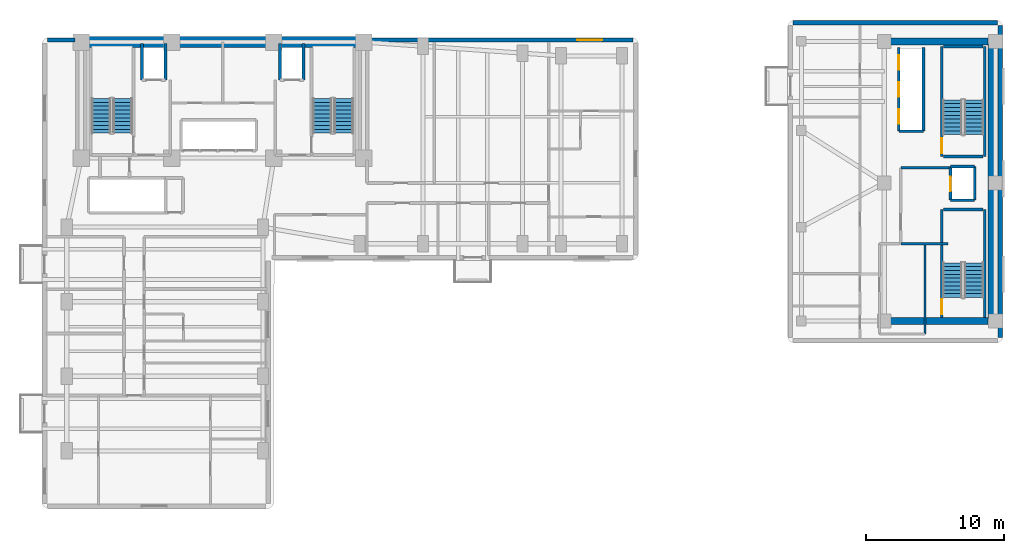
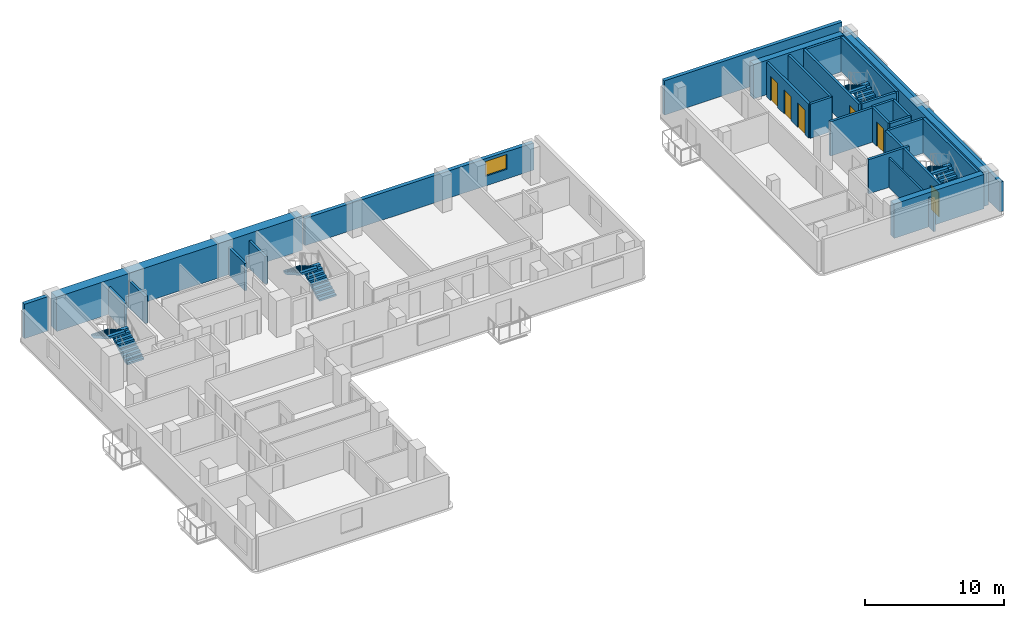
# One storey, part 6 of 9: 29 walls, 8 stair flights, 6 doors, 1 window, 7 openings, 4 elements without a shape of their own.
"""IFC4 building model written with IfcOpenShell, lengths in metres."""

from ifc_helpers import new_model, si_unit, direction, frame, frame_2d, origin, place, context, subcontext, project, spatial, polyline, rectangle, outline, extrude, material, layer, layer_set, type_object, element, fill, aggregate, save


model = new_model("IFC4")

# Units and contexts
model_context = context("Model", 3, precision=1e-05, world=origin(), true_north=direction((0.0, 1.0)))
body_context = subcontext(model_context, "Body", "Model", "MODEL_VIEW")
ifc_project = project(units=[si_unit("LENGTHUNIT", "METRE"), si_unit("AREAUNIT", "SQUARE_METRE"), si_unit("VOLUMEUNIT", "CUBIC_METRE"), si_unit("PLANEANGLEUNIT", "RADIAN"), si_unit("MASSUNIT", "GRAM", prefix="KILO")], contexts=[model_context])

# Site, building, storey
site_placement = place(None, origin())
site = spatial("IfcSite", under=ifc_project, at=site_placement, CompositionType="ELEMENT")
building_placement = place(site_placement, origin())
building = spatial("IfcBuilding", under=site, at=building_placement, Name="Kuzgunbayir Cultural Tower", CompositionType="ELEMENT")
storey_placement = place(building_placement, frame((0.0, 0.0, 89.800048828125)))
storey = spatial("IfcBuildingStorey", under=building, at=storey_placement, Name="L25", CompositionType="ELEMENT", Elevation=89.800048828125)

# Walls
ifc_material_1 = material(Name="Concrete C60/75", Category="concrete")
ifc_layer_1 = layer(ifc_material_1, 0.800048828125)
ifc_layer_set_1 = layer_set([ifc_layer_1], Name="Concrete C60/75")
wall_type_1 = type_object("IfcWallType", Name="WAL-CORE-800", PredefinedType="SHEAR", material=ifc_layer_set_1)
wall_1_placement = place(storey_placement, frame((6.449951171875, 42.199951171875, 0.0), z_axis=(0.0, 0.0, 1.0), x_axis=(1.0, 0.0, 0.0)))
element("IfcWall", 1, at=wall_1_placement, inside=storey, type_object=wall_type_1, Name="L25 T1 Core North Shear Wall", PredefinedType="SHEAR", context=body_context, shape_type="SweptSolid", body=[
    extrude(rectangle(XDim=20.449951171875, YDim=0.800048828125, at=frame_2d((10.22509765625, 0.0))), origin(), (0.0, 0.0, 1.0), 3.02001953125),
])
ifc_material_2 = material(Name="Anatolian Cream Limestone", Category="masonry")
ifc_layer_2 = layer(ifc_material_2, 0.300048828125)
ifc_layer_set_2 = layer_set([ifc_layer_2], Name="Anatolian Cream Limestone")
wall_type_2 = type_object("IfcWallType", Name="WAL-EXT-STONE-300", PredefinedType="STANDARD", material=ifc_layer_set_2)
wall_2_placement = place(storey_placement, frame((73.0, 20.800048828125, 0.0), z_axis=(0.0, 0.0, 1.0), x_axis=(0.0, 1.0, 0.0)))
element("IfcWall", 2, at=wall_2_placement, inside=storey, type_object=wall_type_2, Name="L25 Companion East Limestone Wall", PredefinedType="STANDARD", context=body_context, shape_type="SweptSolid", body=[
    extrude(rectangle(XDim=22.599853515625, YDim=0.300048828125, at=frame_2d((11.2998046875, 0.0))), origin(), (0.0, 0.0, 1.0), 2.60986328125),
])
wall_3_placement = place(storey_placement, frame((72.800048828125, 43.60009765625, 0.0), z_axis=(0.0, 0.0, 1.0), x_axis=(-1.0, 0.0, 0.0)))
element("IfcWall", 3, at=wall_3_placement, inside=storey, type_object=wall_type_2, Name="L25 Companion North Limestone Wall", PredefinedType="STANDARD", context=body_context, shape_type="SweptSolid", body=[
    extrude(rectangle(XDim=14.800048828125, YDim=0.300048828125, at=frame_2d((7.39990234375, 0.0))), origin(), (0.0, 0.0, 1.0), 3.02001953125),
])

# Wall, opening, window
ifc_material_3 = material(Name="Travertine Buff Ashlar", Category="masonry")
ifc_layer_3 = layer(ifc_material_3, 0.320068359375)
ifc_layer_set_3 = layer_set([ifc_layer_3], Name="Travertine Buff Ashlar")
wall_type_3 = type_object("IfcWallType", Name="WAL-EXT-STONE-320", PredefinedType="STANDARD", material=ifc_layer_set_3)
wall_4_placement = place(storey_placement, frame((46.39990234375, 42.35009765625, 0.0), z_axis=(0.0, 0.0, 1.0), x_axis=(-1.0, 0.0, 0.0)))
wall_4 = element("IfcWall", 4, at=wall_4_placement, inside=storey, type_object=wall_type_3, Name="L25 North Wing B Limestone Wall", PredefinedType="STANDARD", context=body_context, shape_type="SweptSolid", body=[
    extrude(rectangle(XDim=19.0498046875, YDim=0.320068359375, at=frame_2d((9.52490234375, 0.0))), origin(), (0.0, 0.0, 1.0), 2.39990234375),
])
opening_1_placement = place(wall_4_placement, frame((2.219970703125, 0.0, 0.85009765625)))
opening_1 = element("IfcOpeningElement", 5, at=opening_1_placement, cuts=wall_4, Name="Opening WH-18", PredefinedType="OPENING", context=body_context, shape_type="SweptSolid", body=[
    extrude(rectangle(XDim=1.800048828125, YDim=1.300048828125, at=frame_2d((0.89990234375, 0.64990234375))), frame((0.0, 0.169921875, 0.0), z_axis=(0.0, -1.0, 0.0), x_axis=(1.0, 0.0, 0.0)), (0.0, 0.0, 1.0), 0.340087890625),
])
ifc_material_4 = material(Name="Solar-Control Triple Glazing", Category="glass")
window_type = type_object("IfcWindowType", Name="WIN-HOTEL-18", PartitioningType="SINGLE_PANEL", PredefinedType="WINDOW", material=ifc_material_4)
window_placement = place(opening_1_placement, origin())
window = element("IfcWindow", 6, at=window_placement, inside=storey, type_object=window_type, Name="L25 CRN Facade Window 4", OverallHeight=1.300048828125, OverallWidth=1.800048828125, PartitioningType="SINGLE_PANEL", PredefinedType="WINDOW", context=body_context, shape_type="SweptSolid", body=[
    extrude(rectangle(XDim=1.800048828125, YDim=1.300048828125, at=frame_2d((0.89990234375, 0.64990234375))), frame((0.0, 0.030029296875, 0.0), z_axis=(0.0, -1.0, 0.0), x_axis=(1.0, 0.0, 0.0)), (0.0, 0.0, 1.0), 0.06005859375),
])
fill(opening_1, window)

# Walls
wall_5_placement = place(storey_placement, frame((6.0, 42.35009765625, 0.0), z_axis=(0.0, 0.0, 1.0), x_axis=(-1.0, 0.0, 0.0)))
element("IfcWall", 7, at=wall_5_placement, inside=storey, type_object=wall_type_3, Name="L25 Core North-West Spandrel Link", PredefinedType="STANDARD", context=body_context, shape_type="SweptSolid", body=[
    extrude(rectangle(XDim=2.0, YDim=0.320068359375, at=frame_2d((1.0, 0.0))), origin(), (0.0, 0.0, 1.0), 3.02001953125),
])
ifc_material_5 = material(Name="Acoustic Double-Stud Drywall", Category="gypsum")
ifc_layer_4 = layer(ifc_material_5, 0.14990234375)
ifc_layer_set_4 = layer_set([ifc_layer_4], Name="Acoustic Double-Stud Drywall")
wall_type_4 = type_object("IfcWallType", Name="WAL-PART-ACOUSTIC-150", PredefinedType="PARTITIONING", material=ifc_layer_set_4)
wall_6_placement = place(storey_placement, frame((67.550048828125, 21.050048828125, 0.0), z_axis=(0.0, 0.0, 1.0), x_axis=(0.0, 1.0, 0.0)))
element("IfcWall", 8, at=wall_6_placement, inside=storey, type_object=wall_type_4, Name="L25 Companion Archive East Wall", PredefinedType="PARTITIONING", context=body_context, shape_type="SweptSolid", body=[
    extrude(rectangle(XDim=6.469970703125, YDim=0.14990234375, at=frame_2d((3.23486328125, 0.0))), origin(), (0.0, 0.0, 1.0), 2.60986328125),
])
ifc_material_6 = material(Name="Aerated Concrete Blockwork", Category="masonry")
ifc_layer_5 = layer(ifc_material_6, 0.199951171875)
ifc_layer_set_5 = layer_set([ifc_layer_5], Name="Aerated Concrete Blockwork")
wall_type_5 = type_object("IfcWallType", Name="WAL-PART-FIRE-200", PredefinedType="PARTITIONING", material=ifc_layer_set_5)
wall_7_placement = place(storey_placement, frame((65.800048828125, 33.10009765625, 0.0), z_axis=(0.0, 0.0, 1.0), x_axis=(1.0, 0.0, 0.0)))
element("IfcWall", 9, at=wall_7_placement, inside=storey, type_object=wall_type_5, Name="L25 FFL-3 Lobby North Fire Wall", PredefinedType="PARTITIONING", context=body_context, shape_type="SweptSolid", body=[
    extrude(rectangle(XDim=3.599853515625, YDim=0.199951171875, at=frame_2d((1.7998046875, 0.0))), origin(), (0.0, 0.0, 1.0), 3.02001953125),
])
wall_8_placement = place(storey_placement, frame((65.800048828125, 27.60009765625, 0.0), z_axis=(0.0, 0.0, 1.0), x_axis=(1.0, 0.0, 0.0)))
element("IfcWall", 10, at=wall_8_placement, inside=storey, type_object=wall_type_5, Name="L25 FFL-3 Lobby South Fire Wall", PredefinedType="PARTITIONING", context=body_context, shape_type="SweptSolid", body=[
    extrude(rectangle(XDim=3.39990234375, YDim=0.199951171875, at=frame_2d((1.699951171875, 0.0))), origin(), (0.0, 0.0, 1.0), 3.02001953125),
])
ifc_material_7 = material(Name="Concrete C40/50", Category="concrete")
ifc_layer_6 = layer(ifc_material_7, 0.199951171875)
ifc_layer_set_6 = layer_set([ifc_layer_6], Name="Concrete C40/50")
wall_type_6 = type_object("IfcWallType", Name="WAL-SHAFT-200", PredefinedType="MOVABLE", material=ifc_layer_set_6)
for number, where, z_axis, x_axis, name in (
    (11, (10.85009765625, 39.449951171875, 0.0), (0.0, 0.0, 1.0), (0.0, 1.0, 0.0), "L25 FFL-1 Shaft West Wall"),
    (12, (12.550048828125, 39.449951171875, 0.0), (0.0, 0.0, 1.0), (0.0, 1.0, 0.0), "L25 FFL-1 Shaft East Wall"),
    (13, (20.85009765625, 39.449951171875, 0.0), (0.0, 0.0, 1.0), (0.0, 1.0, 0.0), "L25 FFL-2 Shaft West Wall"),
    (14, (22.550048828125, 39.449951171875, 0.0), (0.0, 0.0, 1.0), (0.0, 1.0, 0.0), "L25 FFL-2 Shaft East Wall"),
):
    element("IfcWall", number, at=place(storey_placement, frame(where, z_axis=z_axis, x_axis=x_axis)), inside=storey, type_object=wall_type_6, Name=name, PredefinedType="MOVABLE", context=body_context, shape_type="SweptSolid", body=[
        extrude(rectangle(XDim=2.650146484375, YDim=0.199951171875, at=frame_2d((1.3251953125, 0.0))), origin(), (0.0, 0.0, 1.0), 2.39990234375),
    ])

# Wall, openings, doors
wall_9_placement = place(storey_placement, frame((65.64990234375, 35.75, 0.0), z_axis=(0.0, 0.0, 1.0), x_axis=(0.0, 1.0, 0.0)))
wall_9 = element("IfcWall", 15, at=wall_9_placement, inside=storey, type_object=wall_type_6, Name="L25 Companion Lift Front Wall", PredefinedType="MOVABLE", context=body_context, shape_type="SweptSolid", body=[
    extrude(rectangle(XDim=6.050048828125, YDim=0.199951171875, at=frame_2d((3.02490234375, 0.0))), origin(), (0.0, 0.0, 1.0), 3.02001953125),
])
opening_2_placement = place(wall_9_placement, frame((0.52001953125, 0.0, 0.0)))
opening_2 = element("IfcOpeningElement", 16, at=opening_2_placement, cuts=wall_9, Name="Opening LD", PredefinedType="OPENING", context=body_context, shape_type="SweptSolid", body=[
    extrude(rectangle(XDim=1.050048828125, YDim=2.14990234375, at=frame_2d((0.52490234375, 1.074951171875))), frame((0.0, 0.10986328125, 0.0), z_axis=(0.0, -1.0, 0.0), x_axis=(1.0, 0.0, 0.0)), (0.0, 0.0, 1.0), 0.219970703125),
])
opening_3_placement = place(wall_9_placement, frame((2.47998046875, 0.0, 0.0)))
opening_3 = element("IfcOpeningElement", 17, at=opening_3_placement, cuts=wall_9, Name="Opening LD", PredefinedType="OPENING", context=body_context, shape_type="SweptSolid", body=[
    extrude(rectangle(XDim=1.050048828125, YDim=2.14990234375, at=frame_2d((0.52490234375, 1.074951171875))), frame((0.0, 0.10986328125, 0.0), z_axis=(0.0, -1.0, 0.0), x_axis=(1.0, 0.0, 0.0)), (0.0, 0.0, 1.0), 0.219970703125),
])
opening_4_placement = place(wall_9_placement, frame((4.429931640625, 0.0, 0.0)))
opening_4 = element("IfcOpeningElement", 18, at=opening_4_placement, cuts=wall_9, Name="Opening LD", PredefinedType="OPENING", context=body_context, shape_type="SweptSolid", body=[
    extrude(rectangle(XDim=1.050048828125, YDim=2.14990234375, at=frame_2d((0.52490234375, 1.074951171875))), frame((0.0, 0.10986328125, 0.0), z_axis=(0.0, -1.0, 0.0), x_axis=(1.0, 0.0, 0.0)), (0.0, 0.0, 1.0), 0.219970703125),
])
ifc_material_8 = material(Name="Brushed Stainless Steel", Category="steel")
door_type_1 = type_object("IfcDoorType", Name="DR-LIFT-LANDING", OperationType="SLIDING_TO_LEFT", PredefinedType="DOOR", material=ifc_material_8)
door_1_placement = place(opening_2_placement, origin())
door_1 = element("IfcDoor", 19, at=door_1_placement, inside=storey, type_object=door_type_1, Name="L25 Lift PC-1 Landing Door", OperationType="SLIDING_TO_LEFT", OverallHeight=2.14990234375, OverallWidth=1.050048828125, PredefinedType="DOOR", context=body_context, shape_type="SweptSolid", body=[
    extrude(rectangle(XDim=1.050048828125, YDim=2.14990234375, at=frame_2d((0.52490234375, 1.074951171875))), frame((0.0, 0.02490234375, 0.0), z_axis=(0.0, -1.0, 0.0), x_axis=(1.0, 0.0, 0.0)), (0.0, 0.0, 1.0), 0.050048828125),
])
fill(opening_2, door_1)
door_2_placement = place(opening_3_placement, origin())
door_2 = element("IfcDoor", 20, at=door_2_placement, inside=storey, type_object=door_type_1, Name="L25 Lift PC-2 Landing Door", OperationType="SLIDING_TO_LEFT", OverallHeight=2.14990234375, OverallWidth=1.050048828125, PredefinedType="DOOR", context=body_context, shape_type="SweptSolid", body=[
    extrude(rectangle(XDim=1.050048828125, YDim=2.14990234375, at=frame_2d((0.52490234375, 1.074951171875))), frame((0.0, 0.02490234375, 0.0), z_axis=(0.0, -1.0, 0.0), x_axis=(1.0, 0.0, 0.0)), (0.0, 0.0, 1.0), 0.050048828125),
])
fill(opening_3, door_2)
door_3_placement = place(opening_4_placement, origin())
door_3 = element("IfcDoor", 21, at=door_3_placement, inside=storey, type_object=door_type_1, Name="L25 Lift PC-3 Landing Door", OperationType="SLIDING_TO_LEFT", OverallHeight=2.14990234375, OverallWidth=1.050048828125, PredefinedType="DOOR", context=body_context, shape_type="SweptSolid", body=[
    extrude(rectangle(XDim=1.050048828125, YDim=2.14990234375, at=frame_2d((0.52490234375, 1.074951171875))), frame((0.0, 0.02490234375, 0.0), z_axis=(0.0, -1.0, 0.0), x_axis=(1.0, 0.0, 0.0)), (0.0, 0.0, 1.0), 0.050048828125),
])
fill(opening_4, door_3)

# Walls
wall_10_placement = place(storey_placement, frame((67.449951171875, 35.75, 0.0), z_axis=(0.0, 0.0, 1.0), x_axis=(0.0, 1.0, 0.0)))
element("IfcWall", 22, at=wall_10_placement, inside=storey, type_object=wall_type_6, Name="L25 Companion Lift Shaft Back Wall", PredefinedType="MOVABLE", context=body_context, shape_type="SweptSolid", body=[
    extrude(rectangle(XDim=6.050048828125, YDim=0.199951171875, at=frame_2d((3.02490234375, 0.0))), origin(), (0.0, 0.0, 1.0), 3.02001953125),
])
wall_11_placement = place(storey_placement, frame((65.64990234375, 35.75, 0.0), z_axis=(0.0, 0.0, 1.0), x_axis=(1.0, 0.0, 0.0)))
element("IfcWall", 23, at=wall_11_placement, inside=storey, type_object=wall_type_6, Name="L25 Companion Lift Shaft South Wall", PredefinedType="MOVABLE", context=body_context, shape_type="SweptSolid", body=[
    extrude(rectangle(XDim=1.800048828125, YDim=0.199951171875, at=frame_2d((0.89990234375, 0.0))), origin(), (0.0, 0.0, 1.0), 3.02001953125),
])

# Wall, opening, door
wall_12_placement = place(storey_placement, frame((69.39990234375, 30.75, 0.0), z_axis=(0.0, 0.0, 1.0), x_axis=(0.0, 1.0, 0.0)))
wall_12 = element("IfcWall", 24, at=wall_12_placement, inside=storey, type_object=wall_type_6, Name="L25 FFL-3 Lift Front Wall", PredefinedType="MOVABLE", context=body_context, shape_type="SweptSolid", body=[
    extrude(rectangle(XDim=2.449951171875, YDim=0.199951171875, at=frame_2d((1.22509765625, 0.0))), origin(), (0.0, 0.0, 1.0), 3.02001953125),
])
opening_5_placement = place(wall_12_placement, frame((0.64990234375, 0.0, 0.0)))
opening_5 = element("IfcOpeningElement", 25, at=opening_5_placement, cuts=wall_12, Name="Opening LD", PredefinedType="OPENING", context=body_context, shape_type="SweptSolid", body=[
    extrude(rectangle(XDim=1.050048828125, YDim=2.14990234375, at=frame_2d((0.52490234375, 1.074951171875))), frame((0.0, 0.10986328125, 0.0), z_axis=(0.0, -1.0, 0.0), x_axis=(1.0, 0.0, 0.0)), (0.0, 0.0, 1.0), 0.219970703125),
])
door_4_placement = place(opening_5_placement, origin())
door_4 = element("IfcDoor", 26, at=door_4_placement, inside=storey, type_object=door_type_1, Name="L25 Lift FFL-3 Landing Door", OperationType="SLIDING_TO_LEFT", OverallHeight=2.14990234375, OverallWidth=1.050048828125, PredefinedType="DOOR", context=body_context, shape_type="SweptSolid", body=[
    extrude(rectangle(XDim=1.050048828125, YDim=2.14990234375, at=frame_2d((0.52490234375, 1.074951171875))), frame((0.0, 0.02490234375, 0.0), z_axis=(0.0, -1.0, 0.0), x_axis=(1.0, 0.0, 0.0)), (0.0, 0.0, 1.0), 0.050048828125),
])
fill(opening_5, door_4)

# Walls
wall_13_placement = place(storey_placement, frame((71.14990234375, 30.75, 0.0), z_axis=(0.0, 0.0, 1.0), x_axis=(0.0, 1.0, 0.0)))
element("IfcWall", 27, at=wall_13_placement, inside=storey, type_object=wall_type_6, Name="L25 FFL-3 Shaft Back Wall", PredefinedType="MOVABLE", context=body_context, shape_type="SweptSolid", body=[
    extrude(rectangle(XDim=2.449951171875, YDim=0.199951171875, at=frame_2d((1.22509765625, 0.0))), origin(), (0.0, 0.0, 1.0), 3.02001953125),
])
for number, where, z_axis, x_axis, name in (
    (28, (69.39990234375, 33.199951171875, 0.0), (0.0, 0.0, 1.0), (1.0, 0.0, 0.0), "L25 FFL-3 Shaft North Wall"),
    (29, (69.39990234375, 30.75, 0.0), (0.0, 0.0, 1.0), (1.0, 0.0, 0.0), "L25 FFL-3 Shaft South Wall"),
):
    element("IfcWall", number, at=place(storey_placement, frame(where, z_axis=z_axis, x_axis=x_axis)), inside=storey, type_object=wall_type_6, Name=name, PredefinedType="MOVABLE", context=body_context, shape_type="SweptSolid", body=[
        extrude(rectangle(XDim=1.75, YDim=0.199951171875, at=frame_2d((0.875, 0.0))), origin(), (0.0, 0.0, 1.0), 3.02001953125),
    ])

# Wall, opening, door
ifc_layer_7 = layer(ifc_material_7, 0.199951171875)
ifc_layer_set_7 = layer_set([ifc_layer_7], Name="Concrete C40/50")
wall_type_7 = type_object("IfcWallType", Name="WAL-STAIR-RC-200", PredefinedType="SHEAR", material=ifc_layer_set_7)
wall_14_placement = place(storey_placement, frame((68.760009765625, 22.260009765625, 0.0), z_axis=(0.0, 0.0, 1.0), x_axis=(0.0, 1.0, 0.0)))
wall_14 = element("IfcWall", 30, at=wall_14_placement, inside=storey, type_object=wall_type_7, Name="L25 Stair ST-3 West Structural Wall", PredefinedType="SHEAR", context=body_context, shape_type="SweptSolid", body=[
    extrude(rectangle(XDim=7.820068359375, YDim=0.199951171875, at=frame_2d((3.91015625, 0.0))), origin(), (0.0, 0.0, 1.0), 3.02001953125),
])
opening_6_placement = place(wall_14_placement, frame((0.219970703125, 0.0, 0.0)))
opening_6 = element("IfcOpeningElement", 31, at=opening_6_placement, cuts=wall_14, Name="Opening DR-STAIR-90", PredefinedType="OPENING", context=body_context, shape_type="SweptSolid", body=[
    extrude(rectangle(XDim=1.10009765625, YDim=2.14990234375, at=frame_2d((0.550048828125, 1.074951171875))), frame((0.0, 0.10986328125, 0.0), z_axis=(0.0, -1.0, 0.0), x_axis=(1.0, 0.0, 0.0)), (0.0, 0.0, 1.0), 0.219970703125),
])
ifc_material_9 = material(Name="Steel S355J2", Category="steel")
door_type_2 = type_object("IfcDoorType", Name="DR-STAIR-90", OperationType="NOTDEFINED", PredefinedType="DOOR", material=ifc_material_9)
door_5_placement = place(opening_6_placement, origin())
door_5 = element("IfcDoor", 32, at=door_5_placement, inside=storey, type_object=door_type_2, Name="L25 Stair ST-3 Fire Door", OperationType="SINGLE_SWING_LEFT", OverallHeight=2.14990234375, OverallWidth=1.10009765625, PredefinedType="DOOR", context=body_context, shape_type="SweptSolid", body=[
    extrude(rectangle(XDim=1.10009765625, YDim=2.14990234375, at=frame_2d((0.550048828125, 1.074951171875))), frame((0.0, 0.02490234375, 0.0), z_axis=(0.0, -1.0, 0.0), x_axis=(1.0, 0.0, 0.0)), (0.0, 0.0, 1.0), 0.050048828125),
])
fill(opening_6, door_5)

# Walls
wall_15_placement = place(storey_placement, frame((71.8798828125, 22.260009765625, 0.0), z_axis=(0.0, 0.0, 1.0), x_axis=(0.0, 1.0, 0.0)))
element("IfcWall", 33, at=wall_15_placement, inside=storey, type_object=wall_type_7, Name="L25 Stair ST-3 East Structural Wall", PredefinedType="SHEAR", context=body_context, shape_type="SweptSolid", body=[
    extrude(rectangle(XDim=7.820068359375, YDim=0.199951171875, at=frame_2d((3.91015625, 0.0))), origin(), (0.0, 0.0, 1.0), 3.02001953125),
])
wall_16_placement = place(storey_placement, frame((68.8798828125, 30.080078125, 0.0), z_axis=(0.0, 0.0, 1.0), x_axis=(1.0, 0.0, 0.0)))
element("IfcWall", 34, at=wall_16_placement, inside=storey, type_object=wall_type_7, Name="L25 Stair ST-3 North Structural Wall", PredefinedType="SHEAR", context=body_context, shape_type="SweptSolid", body=[
    extrude(rectangle(XDim=2.880126953125, YDim=0.199951171875, at=frame_2d((1.43994140625, 0.0))), origin(), (0.0, 0.0, 1.0), 3.02001953125),
])

# Wall, opening, door
wall_17_placement = place(storey_placement, frame((68.760009765625, 33.919921875, 0.0), z_axis=(0.0, 0.0, 1.0), x_axis=(0.0, 1.0, 0.0)))
wall_17 = element("IfcWall", 35, at=wall_17_placement, inside=storey, type_object=wall_type_7, Name="L25 Stair ST-4 West Structural Wall", PredefinedType="SHEAR", context=body_context, shape_type="SweptSolid", body=[
    extrude(rectangle(XDim=7.9599609375, YDim=0.199951171875, at=frame_2d((3.97998046875, 0.0))), origin(), (0.0, 0.0, 1.0), 3.02001953125),
])
opening_7_placement = place(wall_17_placement, frame((0.219970703125, 0.0, 0.0)))
opening_7 = element("IfcOpeningElement", 36, at=opening_7_placement, cuts=wall_17, Name="Opening DR-STAIR-90", PredefinedType="OPENING", context=body_context, shape_type="SweptSolid", body=[
    extrude(rectangle(XDim=1.10009765625, YDim=2.14990234375, at=frame_2d((0.550048828125, 1.074951171875))), frame((0.0, 0.10986328125, 0.0), z_axis=(0.0, -1.0, 0.0), x_axis=(1.0, 0.0, 0.0)), (0.0, 0.0, 1.0), 0.219970703125),
])
door_6_placement = place(opening_7_placement, origin())
door_6 = element("IfcDoor", 37, at=door_6_placement, inside=storey, type_object=door_type_2, Name="L25 Stair ST-4 Fire Door", OperationType="SINGLE_SWING_RIGHT", OverallHeight=2.14990234375, OverallWidth=1.10009765625, PredefinedType="DOOR", context=body_context, shape_type="SweptSolid", body=[
    extrude(rectangle(XDim=1.10009765625, YDim=2.14990234375, at=frame_2d((0.550048828125, 1.074951171875))), frame((0.0, 0.02490234375, 0.0), z_axis=(0.0, -1.0, 0.0), x_axis=(1.0, 0.0, 0.0)), (0.0, 0.0, 1.0), 0.050048828125),
])
fill(opening_7, door_6)

# Walls
wall_18_placement = place(storey_placement, frame((71.8798828125, 33.919921875, 0.0), z_axis=(0.0, 0.0, 1.0), x_axis=(0.0, 1.0, 0.0)))
element("IfcWall", 38, at=wall_18_placement, inside=storey, type_object=wall_type_7, Name="L25 Stair ST-4 East Structural Wall", PredefinedType="SHEAR", context=body_context, shape_type="SweptSolid", body=[
    extrude(rectangle(XDim=7.9599609375, YDim=0.199951171875, at=frame_2d((3.97998046875, 0.0))), origin(), (0.0, 0.0, 1.0), 3.02001953125),
])
for number, where, z_axis, x_axis, name in (
    (39, (68.8798828125, 41.8798828125, 0.0), (0.0, 0.0, 1.0), (1.0, 0.0, 0.0), "L25 Stair ST-4 North Structural Wall"),
    (40, (68.8798828125, 33.919921875, 0.0), (0.0, 0.0, 1.0), (1.0, 0.0, 0.0), "L25 Stair ST-4 South Structural Wall"),
):
    element("IfcWall", number, at=place(storey_placement, frame(where, z_axis=z_axis, x_axis=x_axis)), inside=storey, type_object=wall_type_7, Name=name, PredefinedType="SHEAR", context=body_context, shape_type="SweptSolid", body=[
        extrude(rectangle(XDim=2.880126953125, YDim=0.199951171875, at=frame_2d((1.43994140625, 0.0))), origin(), (0.0, 0.0, 1.0), 3.02001953125),
    ])
ifc_layer_8 = layer(ifc_material_1, 0.5)
ifc_layer_set_8 = layer_set([ifc_layer_8], Name="Concrete C60/75")
wall_type_8 = type_object("IfcWallType", Name="WAL-T2-CORE-500", PredefinedType="SHEAR", material=ifc_layer_set_8)
wall_19_placement = place(storey_placement, frame((72.35009765625, 22.0, 0.0), z_axis=(0.0, 0.0, 1.0), x_axis=(0.0, 1.0, 0.0)))
element("IfcWall", 41, at=wall_19_placement, inside=storey, type_object=wall_type_8, Name="L25 Companion Core East Shear Wall", PredefinedType="SHEAR", context=body_context, shape_type="SweptSolid", body=[
    extrude(rectangle(XDim=20.25, YDim=0.5, at=frame_2d((10.125, 0.0))), origin(), (0.0, 0.0, 1.0), 3.02001953125),
])
for number, where, z_axis, x_axis, name in (
    (42, (64.60009765625, 42.25, 0.0), (0.0, 0.0, 1.0), (1.0, 0.0, 0.0), "L25 Companion Core North Shear Wall"),
    (43, (64.60009765625, 22.0, 0.0), (0.0, 0.0, 1.0), (1.0, 0.0, 0.0), "L25 Companion Core South Shear Wall"),
):
    element("IfcWall", number, at=place(storey_placement, frame(where, z_axis=z_axis, x_axis=x_axis)), inside=storey, type_object=wall_type_8, Name=name, PredefinedType="SHEAR", context=body_context, shape_type="SweptSolid", body=[
        extrude(rectangle(XDim=7.5, YDim=0.5, at=frame_2d((3.75, 0.0))), origin(), (0.0, 0.0, 1.0), 3.02001953125),
    ])

# Stair, stair flights
stair_type = type_object("IfcStairType", Name="STR-EXIT-CORE", PredefinedType="HALF_TURN_STAIR", material=ifc_material_7)
stair_1_placement = place(storey_placement, origin())
stair_1 = element("IfcStair", 44, at=stair_1_placement, inside=storey, type_object=stair_type, Name="L25 ST-1", PredefinedType="HALF_TURN_STAIR")
stair_flight_type = type_object("IfcStairFlightType", Name="STRF-RC-140", PredefinedType="STRAIGHT", material=ifc_material_7)
stair_flight_1_placement = place(storey_placement, frame((9.4599609375, 35.60009765625, 0.0), z_axis=(0.0, 0.0, 1.0), x_axis=(0.0, 1.0, 0.0)))
stair_flight_1 = element("IfcStairFlight", 45, at=stair_flight_1_placement, type_object=stair_flight_type, Name="ST-1 flight 1", NumberOfRisers=10, NumberOfTreads=9, PredefinedType="STRAIGHT", RiserHeight=0.16, TreadLength=0.28, context=body_context, shape_type="SweptSolid", body=[
    extrude(outline(polyline([(0.0, 0.0), (0.0, 0.159912109375), (0.280029296875, 0.159912109375), (0.280029296875, 0.320068359375), (0.56005859375, 0.320068359375), (0.56005859375, 0.47998046875), (0.840087890625, 0.47998046875), (0.840087890625, 0.639892578125), (1.1201171875, 0.639892578125), (1.1201171875, 0.800048828125), (1.39990234375, 0.800048828125), (1.39990234375, 0.9599609375), (1.679931640625, 0.9599609375), (1.679931640625, 1.1201171875), (1.9599609375, 1.1201171875), (1.9599609375, 1.280029296875), (2.239990234375, 1.280029296875), (2.239990234375, 1.43994140625), (2.52001953125, 1.43994140625), (2.52001953125, 1.60009765625), (2.52001953125, 1.232666015625), (0.362548828125, 0.0), (0.0, 0.0)])), frame((0.0, 0.699951171875, 0.0), z_axis=(0.0, -1.0, 0.0), x_axis=(1.0, 0.0, 0.0)), (0.0, 0.0, 1.0), 1.39990234375),
])
stair_flight_2_placement = place(storey_placement, frame((7.89990234375, 38.1201171875, 1.599853515625), z_axis=(0.0, 0.0, 1.0), x_axis=(0.0, -1.0, 0.0)))
stair_flight_2 = element("IfcStairFlight", 46, at=stair_flight_2_placement, type_object=stair_flight_type, Name="ST-1 flight 2", NumberOfRisers=10, NumberOfTreads=9, PredefinedType="STRAIGHT", RiserHeight=0.16, TreadLength=0.28, context=body_context, shape_type="SweptSolid", body=[
    extrude(outline(polyline([(0.0, 0.0), (0.0, 0.159912109375), (0.280029296875, 0.159912109375), (0.280029296875, 0.320068359375), (0.56005859375, 0.320068359375), (0.56005859375, 0.47998046875), (0.840087890625, 0.47998046875), (0.840087890625, 0.639892578125), (1.1201171875, 0.639892578125), (1.1201171875, 0.800048828125), (1.39990234375, 0.800048828125), (1.39990234375, 0.9599609375), (1.679931640625, 0.9599609375), (1.679931640625, 1.1201171875), (1.9599609375, 1.1201171875), (1.9599609375, 1.280029296875), (2.239990234375, 1.280029296875), (2.239990234375, 1.43994140625), (2.52001953125, 1.43994140625), (2.52001953125, 1.60009765625), (2.52001953125, 1.232666015625), (0.362548828125, 0.0), (0.0, 0.0)])), frame((0.0, 0.699951171875, 0.0), z_axis=(0.0, -1.0, 0.0), x_axis=(1.0, 0.0, 0.0)), (0.0, 0.0, 1.0), 1.39990234375),
])
aggregate(stair_1, [stair_flight_1, stair_flight_2])

stair_2_placement = place(storey_placement, origin())
stair_2 = element("IfcStair", 47, at=stair_2_placement, inside=storey, type_object=stair_type, Name="L25 ST-2", PredefinedType="HALF_TURN_STAIR")
stair_flight_3_placement = place(storey_placement, frame((25.4599609375, 35.60009765625, 0.0), z_axis=(0.0, 0.0, 1.0), x_axis=(0.0, 1.0, 0.0)))
stair_flight_3 = element("IfcStairFlight", 48, at=stair_flight_3_placement, type_object=stair_flight_type, Name="ST-2 flight 1", NumberOfRisers=10, NumberOfTreads=9, PredefinedType="STRAIGHT", RiserHeight=0.16, TreadLength=0.28, context=body_context, shape_type="SweptSolid", body=[
    extrude(outline(polyline([(0.0, 0.0), (0.0, 0.159912109375), (0.280029296875, 0.159912109375), (0.280029296875, 0.320068359375), (0.56005859375, 0.320068359375), (0.56005859375, 0.47998046875), (0.840087890625, 0.47998046875), (0.840087890625, 0.639892578125), (1.1201171875, 0.639892578125), (1.1201171875, 0.800048828125), (1.39990234375, 0.800048828125), (1.39990234375, 0.9599609375), (1.679931640625, 0.9599609375), (1.679931640625, 1.1201171875), (1.9599609375, 1.1201171875), (1.9599609375, 1.280029296875), (2.239990234375, 1.280029296875), (2.239990234375, 1.43994140625), (2.52001953125, 1.43994140625), (2.52001953125, 1.60009765625), (2.52001953125, 1.232666015625), (0.362548828125, 0.0), (0.0, 0.0)])), frame((0.0, 0.699951171875, 0.0), z_axis=(0.0, -1.0, 0.0), x_axis=(1.0, 0.0, 0.0)), (0.0, 0.0, 1.0), 1.39990234375),
])
stair_flight_4_placement = place(storey_placement, frame((23.89990234375, 38.1201171875, 1.599853515625), z_axis=(0.0, 0.0, 1.0), x_axis=(0.0, -1.0, 0.0)))
stair_flight_4 = element("IfcStairFlight", 49, at=stair_flight_4_placement, type_object=stair_flight_type, Name="ST-2 flight 2", NumberOfRisers=10, NumberOfTreads=9, PredefinedType="STRAIGHT", RiserHeight=0.16, TreadLength=0.28, context=body_context, shape_type="SweptSolid", body=[
    extrude(outline(polyline([(0.0, 0.0), (0.0, 0.159912109375), (0.280029296875, 0.159912109375), (0.280029296875, 0.320068359375), (0.56005859375, 0.320068359375), (0.56005859375, 0.47998046875), (0.840087890625, 0.47998046875), (0.840087890625, 0.639892578125), (1.1201171875, 0.639892578125), (1.1201171875, 0.800048828125), (1.39990234375, 0.800048828125), (1.39990234375, 0.9599609375), (1.679931640625, 0.9599609375), (1.679931640625, 1.1201171875), (1.9599609375, 1.1201171875), (1.9599609375, 1.280029296875), (2.239990234375, 1.280029296875), (2.239990234375, 1.43994140625), (2.52001953125, 1.43994140625), (2.52001953125, 1.60009765625), (2.52001953125, 1.232666015625), (0.362548828125, 0.0), (0.0, 0.0)])), frame((0.0, 0.699951171875, 0.0), z_axis=(0.0, -1.0, 0.0), x_axis=(1.0, 0.0, 0.0)), (0.0, 0.0, 1.0), 1.39990234375),
])
aggregate(stair_2, [stair_flight_3, stair_flight_4])

stair_3_placement = place(storey_placement, origin())
stair_3 = element("IfcStair", 50, at=stair_3_placement, inside=storey, type_object=stair_type, Name="L25 ST-3", PredefinedType="HALF_TURN_STAIR")
stair_flight_5_placement = place(storey_placement, frame((71.10009765625, 23.699951171875, 0.0), z_axis=(0.0, 0.0, 1.0), x_axis=(0.0, 1.0, 0.0)))
stair_flight_5 = element("IfcStairFlight", 51, at=stair_flight_5_placement, type_object=stair_flight_type, Name="ST-3 flight 1", NumberOfRisers=10, NumberOfTreads=9, PredefinedType="STRAIGHT", RiserHeight=0.16, TreadLength=0.28, context=body_context, shape_type="SweptSolid", body=[
    extrude(outline(polyline([(0.0, 0.0), (0.0, 0.159912109375), (0.280029296875, 0.159912109375), (0.280029296875, 0.320068359375), (0.56005859375, 0.320068359375), (0.56005859375, 0.47998046875), (0.840087890625, 0.47998046875), (0.840087890625, 0.639892578125), (1.1201171875, 0.639892578125), (1.1201171875, 0.800048828125), (1.39990234375, 0.800048828125), (1.39990234375, 0.9599609375), (1.679931640625, 0.9599609375), (1.679931640625, 1.1201171875), (1.9599609375, 1.1201171875), (1.9599609375, 1.280029296875), (2.239990234375, 1.280029296875), (2.239990234375, 1.43994140625), (2.52001953125, 1.43994140625), (2.52001953125, 1.60009765625), (2.52001953125, 1.232666015625), (0.362548828125, 0.0), (0.0, 0.0)])), frame((0.0, 0.699951171875, 0.0), z_axis=(0.0, -1.0, 0.0), x_axis=(1.0, 0.0, 0.0)), (0.0, 0.0, 1.0), 1.39990234375),
])
stair_flight_6_placement = place(storey_placement, frame((69.5400390625, 26.219970703125, 1.599853515625), z_axis=(0.0, 0.0, 1.0), x_axis=(0.0, -1.0, 0.0)))
stair_flight_6 = element("IfcStairFlight", 52, at=stair_flight_6_placement, type_object=stair_flight_type, Name="ST-3 flight 2", NumberOfRisers=10, NumberOfTreads=9, PredefinedType="STRAIGHT", RiserHeight=0.16, TreadLength=0.28, context=body_context, shape_type="SweptSolid", body=[
    extrude(outline(polyline([(0.0, 0.0), (0.0, 0.159912109375), (0.280029296875, 0.159912109375), (0.280029296875, 0.320068359375), (0.56005859375, 0.320068359375), (0.56005859375, 0.47998046875), (0.840087890625, 0.47998046875), (0.840087890625, 0.639892578125), (1.1201171875, 0.639892578125), (1.1201171875, 0.800048828125), (1.39990234375, 0.800048828125), (1.39990234375, 0.9599609375), (1.679931640625, 0.9599609375), (1.679931640625, 1.1201171875), (1.9599609375, 1.1201171875), (1.9599609375, 1.280029296875), (2.239990234375, 1.280029296875), (2.239990234375, 1.43994140625), (2.52001953125, 1.43994140625), (2.52001953125, 1.60009765625), (2.52001953125, 1.232666015625), (0.362548828125, 0.0), (0.0, 0.0)])), frame((0.0, 0.699951171875, 0.0), z_axis=(0.0, -1.0, 0.0), x_axis=(1.0, 0.0, 0.0)), (0.0, 0.0, 1.0), 1.39990234375),
])
aggregate(stair_3, [stair_flight_5, stair_flight_6])

stair_4_placement = place(storey_placement, origin())
stair_4 = element("IfcStair", 53, at=stair_4_placement, inside=storey, type_object=stair_type, Name="L25 ST-4", PredefinedType="HALF_TURN_STAIR")
stair_flight_7_placement = place(storey_placement, frame((71.10009765625, 35.5, 0.0), z_axis=(0.0, 0.0, 1.0), x_axis=(0.0, 1.0, 0.0)))
stair_flight_7 = element("IfcStairFlight", 54, at=stair_flight_7_placement, type_object=stair_flight_type, Name="ST-4 flight 1", NumberOfRisers=10, NumberOfTreads=9, PredefinedType="STRAIGHT", RiserHeight=0.16, TreadLength=0.28, context=body_context, shape_type="SweptSolid", body=[
    extrude(outline(polyline([(0.0, 0.0), (0.0, 0.159912109375), (0.280029296875, 0.159912109375), (0.280029296875, 0.320068359375), (0.56005859375, 0.320068359375), (0.56005859375, 0.47998046875), (0.840087890625, 0.47998046875), (0.840087890625, 0.639892578125), (1.1201171875, 0.639892578125), (1.1201171875, 0.800048828125), (1.39990234375, 0.800048828125), (1.39990234375, 0.9599609375), (1.679931640625, 0.9599609375), (1.679931640625, 1.1201171875), (1.9599609375, 1.1201171875), (1.9599609375, 1.280029296875), (2.239990234375, 1.280029296875), (2.239990234375, 1.43994140625), (2.52001953125, 1.43994140625), (2.52001953125, 1.60009765625), (2.52001953125, 1.232666015625), (0.362548828125, 0.0), (0.0, 0.0)])), frame((0.0, 0.699951171875, 0.0), z_axis=(0.0, -1.0, 0.0), x_axis=(1.0, 0.0, 0.0)), (0.0, 0.0, 1.0), 1.39990234375),
])
stair_flight_8_placement = place(storey_placement, frame((69.5400390625, 38.02001953125, 1.599853515625), z_axis=(0.0, 0.0, 1.0), x_axis=(0.0, -1.0, 0.0)))
stair_flight_8 = element("IfcStairFlight", 55, at=stair_flight_8_placement, type_object=stair_flight_type, Name="ST-4 flight 2", NumberOfRisers=10, NumberOfTreads=9, PredefinedType="STRAIGHT", RiserHeight=0.16, TreadLength=0.28, context=body_context, shape_type="SweptSolid", body=[
    extrude(outline(polyline([(0.0, 0.0), (0.0, 0.159912109375), (0.280029296875, 0.159912109375), (0.280029296875, 0.320068359375), (0.56005859375, 0.320068359375), (0.56005859375, 0.47998046875), (0.840087890625, 0.47998046875), (0.840087890625, 0.639892578125), (1.1201171875, 0.639892578125), (1.1201171875, 0.800048828125), (1.39990234375, 0.800048828125), (1.39990234375, 0.9599609375), (1.679931640625, 0.9599609375), (1.679931640625, 1.1201171875), (1.9599609375, 1.1201171875), (1.9599609375, 1.280029296875), (2.239990234375, 1.280029296875), (2.239990234375, 1.43994140625), (2.52001953125, 1.43994140625), (2.52001953125, 1.60009765625), (2.52001953125, 1.232666015625), (0.362548828125, 0.0), (0.0, 0.0)])), frame((0.0, 0.699951171875, 0.0), z_axis=(0.0, -1.0, 0.0), x_axis=(1.0, 0.0, 0.0)), (0.0, 0.0, 1.0), 1.39990234375),
])
aggregate(stair_4, [stair_flight_7, stair_flight_8])

save(model, "model.ifc")
